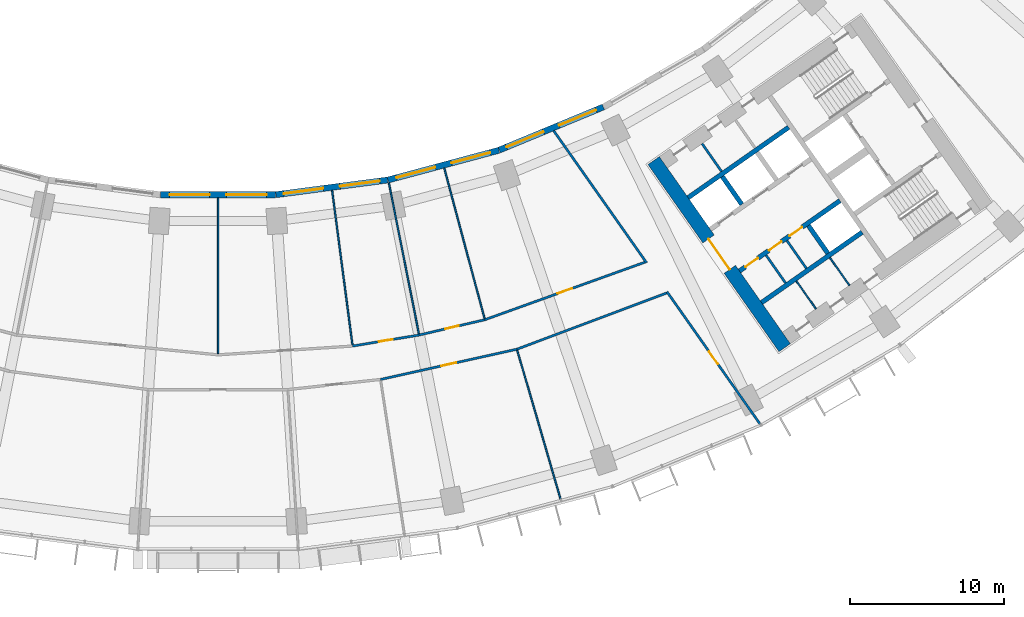
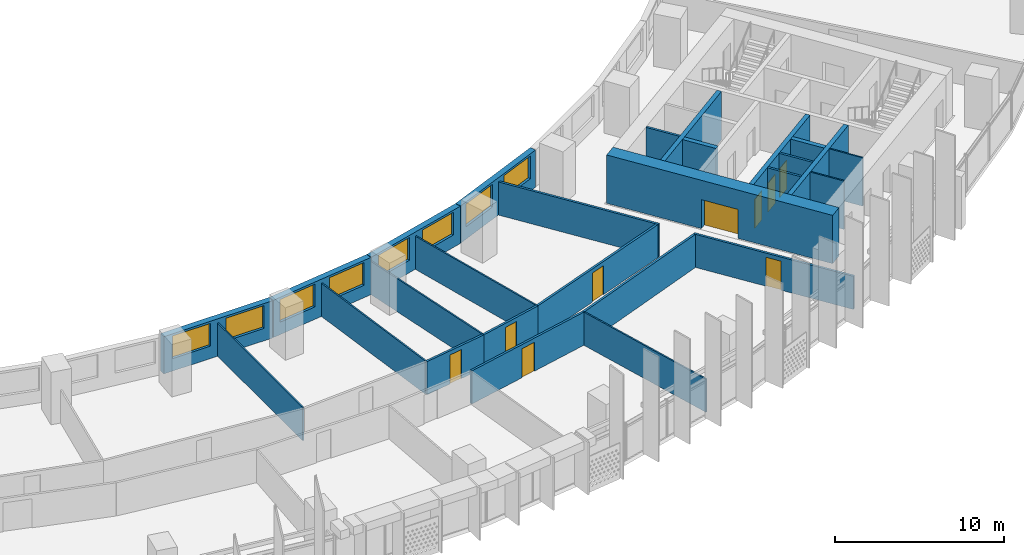
# One storey, part 6 of 32: 27 walls, 9 doors, 8 windows, 17 openings.
"""IFC4 building model written with IfcOpenShell, lengths in metres."""

import ifcopenshell
import ifcopenshell.guid

model = None  # the IFC model being written
_history = None  # IfcOwnerHistory: only IFC2X3 demands one
_inside = {}  # id of a spatial element -> (the spatial element, [elements in it])
_under = {}  # id of a project, library or spatial element -> (it, [spatial elements below it])
_declared = {}  # id of a project -> (the project, [libraries it declares])
_typed = {}  # id of a type object -> (the type object, [elements of that type])
_made_of = {}  # id of a material, layer set ... -> (it, [elements and type objects made of it])


def new_model(schema):
    """Start an empty IFC model of exactly this schema.

    Asked for "IFC4X3", IfcOpenShell would pick the latest addendum, in which some entities
    have other attributes; the version numbers below select the first issue.
    IFC2X3 requires an IfcOwnerHistory on every rooted entity: one is made here for all.
    """
    global model, _history
    if schema == "IFC4X3":
        model = ifcopenshell.file(schema_version=(4, 3, 0, 0))
    else:
        model = ifcopenshell.file(schema=schema)
    _inside.clear()
    _under.clear()
    _declared.clear()
    _typed.clear()
    _made_of.clear()
    _history = None
    if model.schema == "IFC2X3":
        org = make("IfcOrganization", Name="unknown")
        user = make(
            "IfcPersonAndOrganization",
            ThePerson=make("IfcPerson", FamilyName="unknown"),
            TheOrganization=org,
        )
        app = make(
            "IfcApplication",
            ApplicationDeveloper=org,
            Version="unknown",
            ApplicationFullName="unknown",
            ApplicationIdentifier="unknown",
        )
        _history = make(
            "IfcOwnerHistory",
            OwningUser=user,
            OwningApplication=app,
            ChangeAction="ADDED",
            CreationDate=0,
        )
    return model


def make(cls, **values):
    """One entity of the class cls with the attributes given. An attribute that is None is left unset."""
    return model.create_entity(
        cls, **{name: value for name, value in values.items() if value is not None}
    )


def rooted(cls, **values):
    """An entity with a GlobalId (a new one), such as an element, a storey or a relation."""
    return make(cls, GlobalId=ifcopenshell.guid.new(), OwnerHistory=_history, **values)


def si_unit(unit_type, name, prefix=None):
    """IfcSIUnit, for example si_unit("LENGTHUNIT", "METRE", prefix="MILLI")."""
    return make("IfcSIUnit", UnitType=unit_type, Prefix=prefix, Name=name)


def assignment(units):
    """IfcUnitAssignment: the units of a project."""
    return None if units is None else make("IfcUnitAssignment", Units=units)


def point(xyz):
    """IfcCartesianPoint."""
    return None if xyz is None else make("IfcCartesianPoint", Coordinates=xyz)


def direction(xyz):
    """IfcDirection."""
    return None if xyz is None else make("IfcDirection", DirectionRatios=xyz)


def frame(location, z_axis=None, x_axis=None):
    """IfcAxis2Placement3D, a coordinate frame: its origin and axes. An axis left out is left unset."""
    return make(
        "IfcAxis2Placement3D",
        Location=point(location),
        Axis=direction(z_axis),
        RefDirection=direction(x_axis),
    )


def frame_2d(location, x_axis=None):
    """IfcAxis2Placement2D, a coordinate frame in the plane: its origin and x axis."""
    return make(
        "IfcAxis2Placement2D", Location=point(location), RefDirection=direction(x_axis)
    )


def origin():
    """The frame at (0, 0, 0) with its axes left unset."""
    return frame((0.0, 0.0, 0.0))


def place(relative_to, where):
    """IfcLocalPlacement: puts the frame where relative to a parent placement (None: the world)."""
    return make(
        "IfcLocalPlacement", PlacementRelTo=relative_to, RelativePlacement=where
    )


def context(
    kind, dimensions, precision=None, world=None, true_north=None, identifier=None
):
    """IfcGeometricRepresentationContext, for example the 3D "Model" context."""
    return make(
        "IfcGeometricRepresentationContext",
        ContextIdentifier=identifier,
        ContextType=kind,
        CoordinateSpaceDimension=dimensions,
        Precision=precision,
        WorldCoordinateSystem=world,
        TrueNorth=true_north,
    )


def subcontext(parent, identifier, kind, view, scale=None):
    """IfcGeometricRepresentationSubContext, for example "Body" below "Model"."""
    return make(
        "IfcGeometricRepresentationSubContext",
        ContextIdentifier=identifier,
        ContextType=kind,
        ParentContext=parent,
        TargetScale=scale,
        TargetView=view,
    )


def project(units=None, contexts=None):
    """IfcProject with its units and contexts."""
    return rooted(
        "IfcProject",
        Name="project",
        RepresentationContexts=contexts,
        UnitsInContext=assignment(units),
    )


def spatial(cls, under=None, at=None, **own):
    """A site, building, storey or space (cls), placed at a placement, below another one or the project."""
    s = rooted(cls, ObjectPlacement=at, **own)
    if under is not None:
        _under.setdefault(under.id(), (under, []))[1].append(s)
    return s


def profile(cls, at=None, kind="AREA", **sizes):
    """A parametric profile (cls). Its sizes go by their IFC names, for example OverallWidth=200.0."""
    return make(cls, ProfileType=kind, Position=at, **sizes)


def rectangle(**sizes):
    """IfcRectangleProfileDef."""
    return profile("IfcRectangleProfileDef", **sizes)


def extrude(swept, where, along, depth):
    """IfcExtrudedAreaSolid: the profile swept, set in the frame where, extruded along a direction by depth."""
    return make(
        "IfcExtrudedAreaSolid",
        SweptArea=swept,
        Position=where,
        ExtrudedDirection=direction(along),
        Depth=depth,
    )


def shape(context_of_items, identifier, shape_type, items):
    """IfcShapeRepresentation: the items that make up one representation, for example the "Body"."""
    return make(
        "IfcShapeRepresentation",
        ContextOfItems=context_of_items,
        RepresentationIdentifier=identifier,
        RepresentationType=shape_type,
        Items=items,
    )


def material(Name=None, Category=None):
    """IfcMaterial."""
    return make("IfcMaterial", Name=Name, Category=Category)


def layer(
    of_material, thickness, ventilated=None, Name=None, Category=None, Priority=None
):
    """IfcMaterialLayer: one layer of a wall or slab, of a material (None: an air gap)."""
    return make(
        "IfcMaterialLayer",
        Material=of_material,
        LayerThickness=thickness,
        IsVentilated=ventilated,
        Name=Name,
        Category=Category,
        Priority=Priority,
    )


def layer_set(layers, Name=None):
    """IfcMaterialLayerSet."""
    return make("IfcMaterialLayerSet", MaterialLayers=layers, LayerSetName=Name)


def made_of(thing, what):
    """Note that an element or type object is made of a material, layer set ...; save() writes the relation."""
    if what is not None:
        _made_of.setdefault(what.id(), (what, []))[1].append(thing)
    return thing


def type_object(cls, material=None, **own):
    """A type object (cls), such as IfcWallType, which elements share."""
    return made_of(rooted(cls, **own), material)


def element(
    cls,
    number,
    at=None,
    inside=None,
    cuts=None,
    type_object=None,
    material=None,
    context=None,
    identifier="Body",
    shape_type=None,
    held_by="IfcProductDefinitionShape",
    body=None,
    shapes=None,
    **own,
):
    """One element of the class cls, such as IfcWall. Its Tag is "e" and its number.

    at: its placement. inside: the storey or other place that contains it. cuts: it is an
    opening in that element (IfcRelVoidsElement). A single representation is given by context,
    identifier, shape_type and body (its items); several are given by shapes. held_by: the class
    of the entity that holds the representations. save() writes the other relations.
    """
    e = rooted(cls, Tag="e%d" % number, ObjectPlacement=at, **own)
    if body is not None:
        shapes = [shape(context, identifier, shape_type, body)]
    if shapes is not None:
        e.Representation = make(held_by, Representations=shapes)
    if inside is not None:
        _inside.setdefault(inside.id(), (inside, []))[1].append(e)
    if cuts is not None:
        rooted(
            "IfcRelVoidsElement", RelatingBuildingElement=cuts, RelatedOpeningElement=e
        )
    if type_object is not None:
        _typed.setdefault(type_object.id(), (type_object, []))[1].append(e)
    return made_of(e, material)


def fill(opening, filler):
    """IfcRelFillsElement: the door or window that sits in an opening."""
    return rooted(
        "IfcRelFillsElement",
        RelatingOpeningElement=opening,
        RelatedBuildingElement=filler,
    )


def aggregate(whole, parts):
    """IfcRelAggregates: a whole, such as a stair, and the parts it consists of."""
    return rooted("IfcRelAggregates", RelatingObject=whole, RelatedObjects=parts)


def save(model, path):
    """Write the relations noted so far, then the file.

    IfcRelAggregates (storeys below a building ...), IfcRelContainedInSpatialStructure (elements
    in a storey), IfcRelDefinesByType, IfcRelAssociatesMaterial and IfcRelDeclares: one each for
    every whole, place, type object, material and project.
    """
    for whole, parts in _under.values():
        aggregate(whole, parts)
    for where, things in _inside.values():
        rooted(
            "IfcRelContainedInSpatialStructure",
            RelatedElements=things,
            RelatingStructure=where,
        )
    for kind, things in _typed.values():
        rooted("IfcRelDefinesByType", RelatedObjects=things, RelatingType=kind)
    for what, things in _made_of.values():
        rooted("IfcRelAssociatesMaterial", RelatedObjects=things, RelatingMaterial=what)
    for by, libraries in _declared.values():
        rooted("IfcRelDeclares", RelatingContext=by, RelatedDefinitions=libraries)
    model.write(path)


model = new_model("IFC4")

# Units and contexts
model_context = context("Model", 3, precision=1e-05, world=origin(), true_north=direction((0.0, 1.0)))
body_context = subcontext(model_context, "Body", "Model", "MODEL_VIEW")
ifc_project = project(units=[si_unit("LENGTHUNIT", "METRE"), si_unit("AREAUNIT", "SQUARE_METRE"), si_unit("VOLUMEUNIT", "CUBIC_METRE"), si_unit("PLANEANGLEUNIT", "RADIAN"), si_unit("MASSUNIT", "GRAM", prefix="KILO")], contexts=[model_context])

# Site, building, storey
site_placement = place(None, origin())
site = spatial("IfcSite", under=ifc_project, at=site_placement, CompositionType="ELEMENT")
building_placement = place(site_placement, origin())
building = spatial("IfcBuilding", under=site, at=building_placement, Name="Qamariyya Broadcast Tower", CompositionType="ELEMENT")
storey_placement = place(building_placement, frame((0.0, 0.0, 63.300048828125)))
storey = spatial("IfcBuildingStorey", under=building, at=storey_placement, Name="L12", CompositionType="ELEMENT", Elevation=63.300048828125)

# Wall, opening, door
ifc_material_1 = material(Name="Concrete C70/85", Category="concrete")
ifc_layer_1 = layer(ifc_material_1, 0.89990234375)
ifc_layer_set_1 = layer_set([ifc_layer_1], Name="Core wall 900 mm Concrete C70/85")
wall_type_1 = type_object("IfcWallType", Name="Core wall 900 mm Concrete C70/85", PredefinedType="SHEAR", material=ifc_layer_set_1)
wall_1_placement = place(storey_placement, frame((36.716796875, -66.3369140625, 0.0), z_axis=(0.0, 0.0, 1.0), x_axis=(-0.573577477574, 0.819151315216, 0.0)))
wall_1 = element("IfcWall", 1, at=wall_1_placement, inside=storey, type_object=wall_type_1, Name="k-E-L12-WA", PredefinedType="SHEAR", context=body_context, shape_type="SweptSolid", body=[
    extrude(rectangle(XDim=14.800048828125, YDim=0.89990234375, at=frame_2d((7.39990234375, 0.0))), origin(), (0.0, 0.0, 1.0), 3.5),
])
opening_1_placement = place(wall_1_placement, frame((6.199951171875, 0.0, 0.0)))
opening_1 = element("IfcOpeningElement", 2, at=opening_1_placement, cuts=wall_1, Name="Opening KD3-E1", PredefinedType="OPENING", context=body_context, shape_type="SweptSolid", body=[
    extrude(rectangle(XDim=2.39990234375, YDim=2.10009765625, at=frame_2d((1.199951171875, 1.050048828125))), frame((0.0, 0.4599609375, 0.0), z_axis=(0.0, -1.0, 0.0), x_axis=(1.0, 0.0, 0.0)), (0.0, 0.0, 1.0), 0.919921875),
])
ifc_material_2 = material(Name="Steel fire-resisting door leaf", Category="steel")
door_type_1 = type_object("IfcDoorType", Name="Lift lobby door KD3", OperationType="DOUBLE_DOOR_SINGLE_SWING", PredefinedType="DOOR", material=ifc_material_2)
door_1_placement = place(opening_1_placement, origin())
door_1 = element("IfcDoor", 3, at=door_1_placement, inside=storey, type_object=door_type_1, Name="k-E-L12-WA-D1", OperationType="DOUBLE_DOOR_SINGLE_SWING", OverallHeight=2.10009765625, OverallWidth=2.39990234375, PredefinedType="DOOR", context=body_context, shape_type="SweptSolid", body=[
    extrude(rectangle(XDim=2.39990234375, YDim=2.10009765625, at=frame_2d((1.199951171875, 1.050048828125))), frame((0.0, 0.02490234375, 0.0), z_axis=(0.0, -1.0, 0.0), x_axis=(1.0, 0.0, 0.0)), (0.0, 0.0, 1.0), 0.050048828125),
])
fill(opening_1, door_1)

ifc_material_3 = material(Name="Gypsum board partition")
ifc_layer_2 = layer(ifc_material_3, 0.14990234375)
ifc_layer_set_2 = layer_set([ifc_layer_2], Name="Corridor partition 150 EI 60")
wall_type_2 = type_object("IfcWallType", Name="Corridor partition 150 EI 60", PredefinedType="PARTITIONING", material=ifc_layer_set_2)
wall_2_placement = place(storey_placement, frame((8.71923828125, -66.228515625, 0.0), z_axis=(0.0, 0.0, 1.0), x_axis=(0.986638873051, 0.162922479065, 0.0)))
wall_2 = element("IfcWall", 4, at=wall_2_placement, inside=storey, type_object=wall_type_2, Name="Partition L12-020", PredefinedType="PARTITIONING", context=body_context, shape_type="SweptSolid", body=[
    extrude(rectangle(XDim=4.37109375, YDim=0.14990234375, at=frame_2d((2.185546875, 0.0))), origin(), (0.0, 0.0, 1.0), 2.39990234375),
])
opening_2_placement = place(wall_2_placement, frame((1.735595703125, 0.0, 0.0)))
opening_2 = element("IfcOpeningElement", 5, at=opening_2_placement, cuts=wall_2, Name="Opening L12-D11", PredefinedType="OPENING", context=body_context, shape_type="SweptSolid", body=[
    extrude(rectangle(XDim=0.89990234375, YDim=2.10009765625, at=frame_2d((0.449951171875, 1.050048828125))), frame((0.0, 0.0849609375, 0.0), z_axis=(0.0, -1.0, 0.0), x_axis=(1.0, 0.0, 0.0)), (0.0, 0.0, 1.0), 0.169921875),
])
ifc_material_4 = material(Name="Timber fire door leaf", Category="wood")
door_type_2 = type_object("IfcDoorType", Name="Fire door 900 x 2100 FD60", OperationType="NOTDEFINED", PredefinedType="DOOR", material=ifc_material_4)
door_2_placement = place(opening_2_placement, origin())
door_2 = element("IfcDoor", 6, at=door_2_placement, inside=storey, type_object=door_type_2, Name="Door L12-D11", OperationType="SINGLE_SWING_RIGHT", OverallHeight=2.10009765625, OverallWidth=0.89990234375, PredefinedType="DOOR", context=body_context, shape_type="SweptSolid", body=[
    extrude(rectangle(XDim=0.89990234375, YDim=2.10009765625, at=frame_2d((0.449951171875, 1.050048828125))), frame((0.0, 0.02490234375, 0.0), z_axis=(0.0, -1.0, 0.0), x_axis=(1.0, 0.0, 0.0)), (0.0, 0.0, 1.0), 0.050048828125),
])
fill(opening_2, door_2)

wall_3_placement = place(storey_placement, frame((19.365966796875, -66.434814453125, 0.0), z_axis=(0.0, 0.0, 1.0), x_axis=(-0.976288493125, -0.216473504595, 0.0)))
wall_3 = element("IfcWall", 7, at=wall_3_placement, inside=storey, type_object=wall_type_2, Name="Partition L12-021", PredefinedType="PARTITIONING", context=body_context, shape_type="SweptSolid", body=[
    extrude(rectangle(XDim=9.0517578125, YDim=0.14990234375, at=frame_2d((4.52587890625, 0.0))), origin(), (0.0, 0.0, 1.0), 2.39990234375),
])
opening_3_placement = place(wall_3_placement, frame((4.02587890625, 0.0, 0.0)))
opening_3 = element("IfcOpeningElement", 8, at=opening_3_placement, cuts=wall_3, Name="Opening L12-D05", PredefinedType="OPENING", context=body_context, shape_type="SweptSolid", body=[
    extrude(rectangle(XDim=1.0, YDim=2.10009765625, at=frame_2d((0.5, 1.050048828125))), frame((0.0, 0.0849609375, 0.0), z_axis=(0.0, -1.0, 0.0), x_axis=(1.0, 0.0, 0.0)), (0.0, 0.0, 1.0), 0.169921875),
])
door_type_3 = type_object("IfcDoorType", Name="Fire door 1000 x 2100 FD60", OperationType="NOTDEFINED", PredefinedType="DOOR", material=ifc_material_4)
door_3_placement = place(opening_3_placement, origin())
door_3 = element("IfcDoor", 9, at=door_3_placement, inside=storey, type_object=door_type_3, Name="Door L12-D05", OperationType="SINGLE_SWING_RIGHT", OverallHeight=2.10009765625, OverallWidth=1.0, PredefinedType="DOOR", context=body_context, shape_type="SweptSolid", body=[
    extrude(rectangle(XDim=1.0, YDim=2.10009765625, at=frame_2d((0.5, 1.050048828125))), frame((0.0, 0.02490234375, 0.0), z_axis=(0.0, -1.0, 0.0), x_axis=(1.0, 0.0, 0.0)), (0.0, 0.0, 1.0), 0.050048828125),
])
fill(opening_3, door_3)

wall_4_placement = place(storey_placement, frame((13.031982421875, -65.516357421875, 0.0), z_axis=(0.0, 0.0, 1.0), x_axis=(0.973886095728, 0.227037161159, 0.0)))
wall_4 = element("IfcWall", 10, at=wall_4_placement, inside=storey, type_object=wall_type_2, Name="Partition L12-024", PredefinedType="PARTITIONING", context=body_context, shape_type="SweptSolid", body=[
    extrude(rectangle(XDim=4.371337890625, YDim=0.14990234375, at=frame_2d((2.185546875, 0.0))), origin(), (0.0, 0.0, 1.0), 2.39990234375),
])
opening_4_placement = place(wall_4_placement, frame((1.735595703125, 0.0, 0.0)))
opening_4 = element("IfcOpeningElement", 11, at=opening_4_placement, cuts=wall_4, Name="Opening L12-D12", PredefinedType="OPENING", context=body_context, shape_type="SweptSolid", body=[
    extrude(rectangle(XDim=0.89990234375, YDim=2.10009765625, at=frame_2d((0.449951171875, 1.050048828125))), frame((0.0, 0.0849609375, 0.0), z_axis=(0.0, -1.0, 0.0), x_axis=(1.0, 0.0, 0.0)), (0.0, 0.0, 1.0), 0.169921875),
])
door_4_placement = place(opening_4_placement, origin())
door_4 = element("IfcDoor", 12, at=door_4_placement, inside=storey, type_object=door_type_2, Name="Door L12-D12", OperationType="SINGLE_SWING_RIGHT", OverallHeight=2.10009765625, OverallWidth=0.89990234375, PredefinedType="DOOR", context=body_context, shape_type="SweptSolid", body=[
    extrude(rectangle(XDim=0.89990234375, YDim=2.10009765625, at=frame_2d((0.449951171875, 1.050048828125))), frame((0.0, 0.02490234375, 0.0), z_axis=(0.0, -1.0, 0.0), x_axis=(1.0, 0.0, 0.0)), (0.0, 0.0, 1.0), 0.050048828125),
])
fill(opening_4, door_4)

wall_5_placement = place(storey_placement, frame((17.2890625, -64.52392578125, 0.0), z_axis=(0.0, 0.0, 1.0), x_axis=(0.941106453562, 0.338110400705, 0.0)))
wall_5 = element("IfcWall", 13, at=wall_5_placement, inside=storey, type_object=wall_type_2, Name="Partition L12-026", PredefinedType="PARTITIONING", context=body_context, shape_type="SweptSolid", body=[
    extrude(rectangle(XDim=11.015869140625, YDim=0.14990234375, at=frame_2d((5.5078125, 0.0))), origin(), (0.0, 0.0, 1.0), 2.39990234375),
])
opening_5_placement = place(wall_5_placement, frame((5.008056640625, 0.0, 0.0)))
opening_5 = element("IfcOpeningElement", 14, at=opening_5_placement, cuts=wall_5, Name="Opening L12-D13", PredefinedType="OPENING", context=body_context, shape_type="SweptSolid", body=[
    extrude(rectangle(XDim=1.0, YDim=2.10009765625, at=frame_2d((0.5, 1.050048828125))), frame((0.0, 0.0849609375, 0.0), z_axis=(0.0, -1.0, 0.0), x_axis=(1.0, 0.0, 0.0)), (0.0, 0.0, 1.0), 0.169921875),
])
door_5_placement = place(opening_5_placement, origin())
door_5 = element("IfcDoor", 15, at=door_5_placement, inside=storey, type_object=door_type_3, Name="Door L12-D13", OperationType="SINGLE_SWING_RIGHT", OverallHeight=2.10009765625, OverallWidth=1.0, PredefinedType="DOOR", context=body_context, shape_type="SweptSolid", body=[
    extrude(rectangle(XDim=1.0, YDim=2.10009765625, at=frame_2d((0.5, 1.050048828125))), frame((0.0, 0.02490234375, 0.0), z_axis=(0.0, -1.0, 0.0), x_axis=(1.0, 0.0, 0.0)), (0.0, 0.0, 1.0), 0.050048828125),
])
fill(opening_5, door_5)

# Walls
wall_6_placement = place(storey_placement, frame((19.365966796875, -66.434814453125, 0.0), z_axis=(0.0, 0.0, 1.0), x_axis=(0.936222555766, 0.351407635197, 0.0)))
element("IfcWall", 16, at=wall_6_placement, inside=storey, type_object=wall_type_2, Name="Partition L12-027", PredefinedType="PARTITIONING", context=body_context, shape_type="SweptSolid", body=[
    extrude(rectangle(XDim=10.355224609375, YDim=0.14990234375, at=frame_2d((5.177734375, 0.0))), origin(), (0.0, 0.0, 1.0), 2.39990234375),
])
wall_7_placement = place(storey_placement, frame((21.748291015625, -52.2763671875, 0.0), z_axis=(0.0, 0.0, 1.0), x_axis=(0.575419434668, -0.817858468322, 0.0)))
element("IfcWall", 17, at=wall_7_placement, inside=storey, type_object=wall_type_2, Name="Partition L12-028", PredefinedType="PARTITIONING", context=body_context, shape_type="SweptSolid", body=[
    extrude(rectangle(XDim=10.46484375, YDim=0.14990234375, at=frame_2d((5.232421875, 0.0))), origin(), (0.0, 0.0, 1.0), 2.39990234375),
])

# Wall, opening, door
wall_8_placement = place(storey_placement, frame((35.11328125, -71.2724609375, 0.0), z_axis=(0.0, 0.0, 1.0), x_axis=(-0.575411972256, 0.817863718589, 0.0)))
wall_8 = element("IfcWall", 18, at=wall_8_placement, inside=storey, type_object=wall_type_2, Name="Partition L12-030", PredefinedType="PARTITIONING", context=body_context, shape_type="SweptSolid", body=[
    extrude(rectangle(XDim=10.471435546875, YDim=0.14990234375, at=frame_2d((5.23583984375, 0.0))), origin(), (0.0, 0.0, 1.0), 2.39990234375),
])
opening_6_placement = place(wall_8_placement, frame((4.735595703125, 0.0, 0.0)))
opening_6 = element("IfcOpeningElement", 19, at=opening_6_placement, cuts=wall_8, Name="Opening L12-D06", PredefinedType="OPENING", context=body_context, shape_type="SweptSolid", body=[
    extrude(rectangle(XDim=1.0, YDim=2.10009765625, at=frame_2d((0.5, 1.050048828125))), frame((0.0, 0.0849609375, 0.0), z_axis=(0.0, -1.0, 0.0), x_axis=(1.0, 0.0, 0.0)), (0.0, 0.0, 1.0), 0.169921875),
])
door_6_placement = place(opening_6_placement, origin())
door_6 = element("IfcDoor", 20, at=door_6_placement, inside=storey, type_object=door_type_3, Name="Door L12-D06", OperationType="SINGLE_SWING_RIGHT", OverallHeight=2.10009765625, OverallWidth=1.0, PredefinedType="DOOR", context=body_context, shape_type="SweptSolid", body=[
    extrude(rectangle(XDim=1.0, YDim=2.10009765625, at=frame_2d((0.5, 1.050048828125))), frame((0.0, 0.02490234375, 0.0), z_axis=(0.0, -1.0, 0.0), x_axis=(1.0, 0.0, 0.0)), (0.0, 0.0, 1.0), 0.050048828125),
])
fill(opening_6, door_6)

# Walls
ifc_material_5 = material(Name="Gypsum board partition on steel studs", Category="steel")
ifc_layer_3 = layer(ifc_material_5, 0.14990234375)
ifc_layer_set_3 = layer_set([ifc_layer_3], Name="Gypsum board partition 150 mm")
wall_type_3 = type_object("IfcWallType", Name="Gypsum board partition 150 mm", PredefinedType="PARTITIONING", material=ifc_layer_set_3)
for number, where, z_axis, x_axis, name in (
    (21, (35.51171875, -60.344482421875, 0.0), (0.0, 0.0, 1.0), (0.573633636671, -0.819111989218, 0.0), "k-E-L12-SC200"),
    (22, (36.86328125, -59.398193359375, 0.0), (0.0, 0.0, 1.0), (0.573633636671, -0.819111989218, 0.0), "k-E-L12-SC365"),
    (23, (32.627197265625, -54.91748046875, 0.0), (0.0, 0.0, 1.0), (-0.573507030513, 0.819200638399, 0.0), "k-E-L12-NP275"),
):
    element("IfcWall", number, at=place(storey_placement, frame(where, z_axis=z_axis, x_axis=x_axis)), inside=storey, type_object=wall_type_3, Name=name, PredefinedType="PARTITIONING", context=body_context, shape_type="SweptSolid", body=[
        extrude(rectangle(XDim=2.199951171875, YDim=0.14990234375, at=frame_2d((1.10009765625, 0.0))), origin(), (0.0, 0.0, 1.0), 3.5),
    ])
ifc_material_6 = material(Name="Concrete C60/75", Category="concrete")
ifc_layer_4 = layer(ifc_material_6, 0.300048828125)
ifc_layer_set_4 = layer_set([ifc_layer_4], Name="Lift shaft wall 300 mm Concrete C60/75")
wall_type_4 = type_object("IfcWallType", Name="Lift shaft wall 300 mm Concrete C60/75", PredefinedType="SOLIDWALL", material=ifc_layer_set_4)
wall_9_placement = place(storey_placement, frame((30.460693359375, -56.61767578125, 0.0), z_axis=(0.0, 0.0, 1.0), x_axis=(0.819142461705, 0.573590121456, 0.0)))
element("IfcWall", 24, at=wall_9_placement, inside=storey, type_object=wall_type_4, Name="k-E-L12-NB0", PredefinedType="SOLIDWALL", context=body_context, shape_type="SweptSolid", body=[
    extrude(rectangle(XDim=7.949951171875, YDim=0.300048828125, at=frame_2d((3.97509765625, 0.0))), origin(), (0.0, 0.0, 1.0), 3.5),
])
wall_10_placement = place(storey_placement, frame((33.9384765625, -57.051513671875, 0.0), z_axis=(0.0, 0.0, 1.0), x_axis=(-0.573581496053, 0.819148501424, 0.0)))
element("IfcWall", 25, at=wall_10_placement, inside=storey, type_object=wall_type_4, Name="k-E-L12-ND0", PredefinedType="SOLIDWALL", context=body_context, shape_type="SweptSolid", body=[
    extrude(rectangle(XDim=2.2001953125, YDim=0.300048828125, at=frame_2d((1.10009765625, 0.0))), origin(), (0.0, 0.0, 1.0), 3.5),
])

# Wall, openings, doors
wall_11_placement = place(storey_placement, frame((33.787353515625, -61.368896484375, 0.0), z_axis=(0.0, 0.0, 1.0), x_axis=(0.819152564888, 0.573575692858, 0.0)))
wall_11 = element("IfcWall", 26, at=wall_11_placement, inside=storey, type_object=wall_type_4, Name="k-E-L12-SF0", PredefinedType="SOLIDWALL", context=body_context, shape_type="SweptSolid", body=[
    extrude(rectangle(XDim=7.9501953125, YDim=0.300048828125, at=frame_2d((3.97509765625, 0.0))), origin(), (0.0, 0.0, 1.0), 3.5),
])
opening_7_placement = place(wall_11_placement, frame((0.46240234375, 0.0, 0.0)))
opening_7 = element("IfcOpeningElement", 27, at=opening_7_placement, cuts=wall_11, Name="Opening KD6-E1", PredefinedType="OPENING", context=body_context, shape_type="SweptSolid", body=[
    extrude(rectangle(XDim=1.0, YDim=2.10009765625, at=frame_2d((0.5, 1.050048828125))), frame((0.0, 0.159912109375, 0.0), z_axis=(0.0, -1.0, 0.0), x_axis=(1.0, 0.0, 0.0)), (0.0, 0.0, 1.0), 0.320068359375),
])
opening_8_placement = place(wall_11_placement, frame((2.324951171875, 0.0, 0.0)))
opening_8 = element("IfcOpeningElement", 28, at=opening_8_placement, cuts=wall_11, Name="Opening KD4-E1", PredefinedType="OPENING", context=body_context, shape_type="SweptSolid", body=[
    extrude(rectangle(XDim=1.0, YDim=2.10009765625, at=frame_2d((0.5, 1.050048828125))), frame((0.0, 0.159912109375, 0.0), z_axis=(0.0, -1.0, 0.0), x_axis=(1.0, 0.0, 0.0)), (0.0, 0.0, 1.0), 0.320068359375),
])
opening_9_placement = place(wall_11_placement, frame((3.96240234375, 0.0, 0.0)))
opening_9 = element("IfcOpeningElement", 29, at=opening_9_placement, cuts=wall_11, Name="Opening KD6-E2", PredefinedType="OPENING", context=body_context, shape_type="SweptSolid", body=[
    extrude(rectangle(XDim=1.0, YDim=2.10009765625, at=frame_2d((0.5, 1.050048828125))), frame((0.0, 0.159912109375, 0.0), z_axis=(0.0, -1.0, 0.0), x_axis=(1.0, 0.0, 0.0)), (0.0, 0.0, 1.0), 0.320068359375),
])
door_type_4 = type_object("IfcDoorType", Name="Core room door KD6", OperationType="SINGLE_SWING_LEFT", PredefinedType="DOOR", material=ifc_material_2)
door_7_placement = place(opening_7_placement, origin())
door_7 = element("IfcDoor", 30, at=door_7_placement, inside=storey, type_object=door_type_4, Name="k-E-L12-SF0-D5", OperationType="SINGLE_SWING_LEFT", OverallHeight=2.10009765625, OverallWidth=1.0, PredefinedType="DOOR", context=body_context, shape_type="SweptSolid", body=[
    extrude(rectangle(XDim=1.0, YDim=2.10009765625, at=frame_2d((0.5, 1.050048828125))), frame((0.0, 0.02490234375, 0.0), z_axis=(0.0, -1.0, 0.0), x_axis=(1.0, 0.0, 0.0)), (0.0, 0.0, 1.0), 0.050048828125),
])
fill(opening_7, door_7)
door_8_placement = place(opening_9_placement, origin())
door_8 = element("IfcDoor", 31, at=door_8_placement, inside=storey, type_object=door_type_4, Name="k-E-L12-SF0-D7", OperationType="SINGLE_SWING_LEFT", OverallHeight=2.10009765625, OverallWidth=1.0, PredefinedType="DOOR", context=body_context, shape_type="SweptSolid", body=[
    extrude(rectangle(XDim=1.0, YDim=2.10009765625, at=frame_2d((0.5, 1.050048828125))), frame((0.0, 0.02490234375, 0.0), z_axis=(0.0, -1.0, 0.0), x_axis=(1.0, 0.0, 0.0)), (0.0, 0.0, 1.0), 0.050048828125),
])
fill(opening_9, door_8)
door_type_5 = type_object("IfcDoorType", Name="Riser and plant door KD4", OperationType="SINGLE_SWING_LEFT", PredefinedType="DOOR", material=ifc_material_2)
door_9_placement = place(opening_8_placement, origin())
door_9 = element("IfcDoor", 32, at=door_9_placement, inside=storey, type_object=door_type_5, Name="k-E-L12-SF0-D6", OperationType="SINGLE_SWING_RIGHT", OverallHeight=2.10009765625, OverallWidth=1.0, PredefinedType="DOOR", context=body_context, shape_type="SweptSolid", body=[
    extrude(rectangle(XDim=1.0, YDim=2.10009765625, at=frame_2d((0.5, 1.050048828125))), frame((0.0, 0.02490234375, 0.0), z_axis=(0.0, -1.0, 0.0), x_axis=(1.0, 0.0, 0.0)), (0.0, 0.0, 1.0), 0.050048828125),
])
fill(opening_8, door_9)

# Walls
wall_12_placement = place(storey_placement, frame((35.22119140625, -63.41650390625, 0.0), z_axis=(0.0, 0.0, 1.0), x_axis=(0.819166993208, 0.573555086491, 0.0)))
element("IfcWall", 33, at=wall_12_placement, inside=storey, type_object=wall_type_4, Name="k-E-L12-SB0", PredefinedType="SOLIDWALL", context=body_context, shape_type="SweptSolid", body=[
    extrude(rectangle(XDim=7.9501953125, YDim=0.300048828125, at=frame_2d((3.97509765625, 0.0))), origin(), (0.0, 0.0, 1.0), 3.5),
])
wall_13_placement = place(storey_placement, frame((38.255859375, -58.423095703125, 0.0), z_axis=(0.0, 0.0, 1.0), x_axis=(0.573633636671, -0.819111989218, 0.0)))
element("IfcWall", 34, at=wall_13_placement, inside=storey, type_object=wall_type_4, Name="k-E-L12-SD1", PredefinedType="SOLIDWALL", context=body_context, shape_type="SweptSolid", body=[
    extrude(rectangle(XDim=2.199951171875, YDim=0.300048828125, at=frame_2d((1.10009765625, 0.0))), origin(), (0.0, 0.0, 1.0), 3.5),
])
ifc_layer_5 = layer(ifc_material_3, 0.10009765625)
ifc_layer_set_5 = layer_set([ifc_layer_5], Name="Partition 100")
wall_type_5 = type_object("IfcWallType", Name="Partition 100", PredefinedType="PARTITIONING", material=ifc_layer_set_5)
for number, where, z_axis, x_axis, name in (
    (35, (0.0, -56.62939453125, 0.0), (0.0, 0.0, 1.0), (0.0, -1.0, 0.0), "Partition L12-016"),
    (36, (7.3916015625, -56.144775390625, 0.0), (0.0, 0.0, 1.0), (0.130538336764, -0.991443262439, 0.0), "Partition L12-019"),
):
    element("IfcWall", number, at=place(storey_placement, frame(where, z_axis=z_axis, x_axis=x_axis)), inside=storey, type_object=wall_type_5, Name=name, PredefinedType="PARTITIONING", context=body_context, shape_type="SweptSolid", body=[
        extrude(rectangle(XDim=10.095703125, YDim=0.10009765625, at=frame_2d((5.0478515625, 0.0))), origin(), (0.0, 0.0, 1.0), 2.39990234375),
    ])
wall_14_placement = place(storey_placement, frame((11.0712890625, -55.65966796875, 0.0), z_axis=(0.0, 0.0, 1.0), x_axis=(0.195094645032, -0.980784420492, 0.0)))
element("IfcWall", 37, at=wall_14_placement, inside=storey, type_object=wall_type_5, Name="Partition L12-022", PredefinedType="PARTITIONING", context=body_context, shape_type="SweptSolid", body=[
    extrude(rectangle(XDim=9.974853515625, YDim=0.10009765625, at=frame_2d((4.9873046875, 0.0))), origin(), (0.0, 0.0, 1.0), 2.39990234375),
])
wall_15_placement = place(storey_placement, frame((14.65673828125, -54.69970703125, 0.0), z_axis=(0.0, 0.0, 1.0), x_axis=(0.258825935876, -0.965923979885, 0.0)))
element("IfcWall", 38, at=wall_15_placement, inside=storey, type_object=wall_type_5, Name="Partition L12-025", PredefinedType="PARTITIONING", context=body_context, shape_type="SweptSolid", body=[
    extrude(rectangle(XDim=10.095703125, YDim=0.10009765625, at=frame_2d((5.0478515625, 0.0))), origin(), (0.0, 0.0, 1.0), 2.39990234375),
])
wall_16_placement = place(storey_placement, frame((22.192138671875, -76.1298828125, 0.0), z_axis=(0.0, 0.0, 1.0), x_axis=(-0.279857832074, 0.960041454223, 0.0)))
element("IfcWall", 39, at=wall_16_placement, inside=storey, type_object=wall_type_5, Name="Partition L12-029", PredefinedType="PARTITIONING", context=body_context, shape_type="SweptSolid", body=[
    extrude(rectangle(XDim=10.023681640625, YDim=0.10009765625, at=frame_2d((5.01171875, 0.0))), origin(), (0.0, 0.0, 1.0), 2.39990234375),
])
ifc_material_7 = material(Name="Fire-rated gypsum shaft liner on steel studs", Category="steel")
ifc_layer_6 = layer(ifc_material_7, 0.10009765625)
ifc_layer_set_6 = layer_set([ifc_layer_6], Name="Riser wall 100 mm")
wall_type_6 = type_object("IfcWallType", Name="Riser wall 100 mm", PredefinedType="PLUMBINGWALL", material=ifc_layer_set_6)
wall_17_placement = place(storey_placement, frame((37.47802734375, -62.01953125, 0.0), z_axis=(0.0, 0.0, 1.0), x_axis=(0.573581496053, -0.819148501424, 0.0)))
element("IfcWall", 40, at=wall_17_placement, inside=storey, type_object=wall_type_6, Name="k-E-L12-SP265", PredefinedType="PLUMBINGWALL", context=body_context, shape_type="SweptSolid", body=[
    extrude(rectangle(XDim=2.2001953125, YDim=0.10009765625, at=frame_2d((1.10009765625, 0.0))), origin(), (0.0, 0.0, 1.0), 3.5),
])
wall_18_placement = place(storey_placement, frame((39.64892578125, -60.49951171875, 0.0), z_axis=(0.0, 0.0, 1.0), x_axis=(0.573507030513, -0.819200638399, 0.0)))
element("IfcWall", 41, at=wall_18_placement, inside=storey, type_object=wall_type_6, Name="k-E-L12-SP530", PredefinedType="PLUMBINGWALL", context=body_context, shape_type="SweptSolid", body=[
    extrude(rectangle(XDim=2.199951171875, YDim=0.10009765625, at=frame_2d((1.10009765625, 0.0))), origin(), (0.0, 0.0, 1.0), 3.5),
])

# Wall, openings, windows
ifc_material_8 = material(Name="Terracotta", Category="masonry")
ifc_layer_7 = layer(ifc_material_8, 0.39990234375)
ifc_layer_set_7 = layer_set([ifc_layer_7], Name="Terracotta clad wall 400")
wall_type_7 = type_object("IfcWallType", Name="Terracotta clad wall 400", PredefinedType="SOLIDWALL", material=ifc_layer_set_7)
wall_19_placement = place(storey_placement, frame((18.20166015625, -53.542724609375, 0.0), z_axis=(0.0, 0.0, 1.0), x_axis=(-0.965924637935, -0.25882348006, 0.0)))
wall_19 = element("IfcWall", 42, at=wall_19_placement, inside=storey, type_object=wall_type_7, Name="e-wl-L12-in100", PredefinedType="SOLIDWALL", context=body_context, shape_type="SweptSolid", body=[
    extrude(rectangle(XDim=7.447021484375, YDim=0.39990234375, at=frame_2d((3.7236328125, 0.0))), origin(), (0.0, 0.0, 1.0), 2.699951171875),
])
opening_10_placement = place(wall_19_placement, frame((4.266357421875, 0.0, 0.89990234375)))
opening_10 = element("IfcOpeningElement", 43, at=opening_10_placement, cuts=wall_19, Name="Opening W1", PredefinedType="OPENING", context=body_context, shape_type="SweptSolid", body=[
    extrude(rectangle(XDim=2.60009765625, YDim=1.64990234375, at=frame_2d((1.300048828125, 0.824951171875))), frame((0.0, 0.2099609375, 0.0), z_axis=(0.0, -1.0, 0.0), x_axis=(1.0, 0.0, 0.0)), (0.0, 0.0, 1.0), 0.419921875),
])
opening_11_placement = place(wall_19_placement, frame((0.580810546875, 0.0, 0.89990234375)))
opening_11 = element("IfcOpeningElement", 44, at=opening_11_placement, cuts=wall_19, Name="Opening W1", PredefinedType="OPENING", context=body_context, shape_type="SweptSolid", body=[
    extrude(rectangle(XDim=2.60009765625, YDim=1.64990234375, at=frame_2d((1.300048828125, 0.824951171875))), frame((0.0, 0.2099609375, 0.0), z_axis=(0.0, -1.0, 0.0), x_axis=(1.0, 0.0, 0.0)), (0.0, 0.0, 1.0), 0.419921875),
])
ifc_material_9 = material(Name="Clear low-e double glazed unit in aluminium frame", Category="aluminium")
window_type = type_object("IfcWindowType", Name="Ribbon window 2600 x 1650", PartitioningType="SINGLE_PANEL", PredefinedType="WINDOW", material=ifc_material_9)
window_1_placement = place(opening_10_placement, origin())
window_1 = element("IfcWindow", 45, at=window_1_placement, inside=storey, type_object=window_type, Name="e-w-L12-in10-0", OverallHeight=1.64990234375, OverallWidth=2.60009765625, PartitioningType="SINGLE_PANEL", PredefinedType="WINDOW", context=body_context, shape_type="SweptSolid", body=[
    extrude(rectangle(XDim=2.60009765625, YDim=1.64990234375, at=frame_2d((1.300048828125, 0.824951171875))), frame((0.0, 0.030029296875, 0.0), z_axis=(0.0, -1.0, 0.0), x_axis=(1.0, 0.0, 0.0)), (0.0, 0.0, 1.0), 0.06005859375),
])
fill(opening_10, window_1)
window_2_placement = place(opening_11_placement, origin())
window_2 = element("IfcWindow", 46, at=window_2_placement, inside=storey, type_object=window_type, Name="e-w-L12-in10-1", OverallHeight=1.64990234375, OverallWidth=2.60009765625, PartitioningType="SINGLE_PANEL", PredefinedType="WINDOW", context=body_context, shape_type="SweptSolid", body=[
    extrude(rectangle(XDim=2.60009765625, YDim=1.64990234375, at=frame_2d((1.300048828125, 0.824951171875))), frame((0.0, 0.030029296875, 0.0), z_axis=(0.0, -1.0, 0.0), x_axis=(1.0, 0.0, 0.0)), (0.0, 0.0, 1.0), 0.06005859375),
])
fill(opening_11, window_2)

wall_20_placement = place(storey_placement, frame((24.96484375, -50.738037109375, 0.0), z_axis=(0.0, 0.0, 1.0), x_axis=(-0.923891626322, -0.382654234018, 0.0)))
wall_20 = element("IfcWall", 47, at=wall_20_placement, inside=storey, type_object=wall_type_7, Name="e-wl-L12-in110", PredefinedType="SOLIDWALL", context=body_context, shape_type="SweptSolid", body=[
    extrude(rectangle(XDim=7.295654296875, YDim=0.39990234375, at=frame_2d((3.64794921875, 0.0))), origin(), (0.0, 0.0, 1.0), 2.699951171875),
])
opening_12_placement = place(wall_20_placement, frame((4.190673828125, 0.0, 0.89990234375)))
opening_12 = element("IfcOpeningElement", 48, at=opening_12_placement, cuts=wall_20, Name="Opening W1", PredefinedType="OPENING", context=body_context, shape_type="SweptSolid", body=[
    extrude(rectangle(XDim=2.60009765625, YDim=1.64990234375, at=frame_2d((1.300048828125, 0.824951171875))), frame((0.0, 0.2099609375, 0.0), z_axis=(0.0, -1.0, 0.0), x_axis=(1.0, 0.0, 0.0)), (0.0, 0.0, 1.0), 0.419921875),
])
opening_13_placement = place(wall_20_placement, frame((0.505126953125, 0.0, 0.89990234375)))
opening_13 = element("IfcOpeningElement", 49, at=opening_13_placement, cuts=wall_20, Name="Opening W1", PredefinedType="OPENING", context=body_context, shape_type="SweptSolid", body=[
    extrude(rectangle(XDim=2.60009765625, YDim=1.64990234375, at=frame_2d((1.300048828125, 0.824951171875))), frame((0.0, 0.2099609375, 0.0), z_axis=(0.0, -1.0, 0.0), x_axis=(1.0, 0.0, 0.0)), (0.0, 0.0, 1.0), 0.419921875),
])
window_3_placement = place(opening_12_placement, origin())
window_3 = element("IfcWindow", 50, at=window_3_placement, inside=storey, type_object=window_type, Name="e-w-L12-in11-0", OverallHeight=1.64990234375, OverallWidth=2.60009765625, PartitioningType="SINGLE_PANEL", PredefinedType="WINDOW", context=body_context, shape_type="SweptSolid", body=[
    extrude(rectangle(XDim=2.60009765625, YDim=1.64990234375, at=frame_2d((1.300048828125, 0.824951171875))), frame((0.0, 0.030029296875, 0.0), z_axis=(0.0, -1.0, 0.0), x_axis=(1.0, 0.0, 0.0)), (0.0, 0.0, 1.0), 0.06005859375),
])
fill(opening_12, window_3)
window_4_placement = place(opening_13_placement, origin())
window_4 = element("IfcWindow", 51, at=window_4_placement, inside=storey, type_object=window_type, Name="e-w-L12-in11-1", OverallHeight=1.64990234375, OverallWidth=2.60009765625, PartitioningType="SINGLE_PANEL", PredefinedType="WINDOW", context=body_context, shape_type="SweptSolid", body=[
    extrude(rectangle(XDim=2.60009765625, YDim=1.64990234375, at=frame_2d((1.300048828125, 0.824951171875))), frame((0.0, 0.030029296875, 0.0), z_axis=(0.0, -1.0, 0.0), x_axis=(1.0, 0.0, 0.0)), (0.0, 0.0, 1.0), 0.06005859375),
])
fill(opening_13, window_4)

wall_21_placement = place(storey_placement, frame((3.7236328125, -56.429443359375, 0.0), z_axis=(0.0, 0.0, 1.0), x_axis=(-1.0, 0.0, 0.0)))
wall_21 = element("IfcWall", 52, at=wall_21_placement, inside=storey, type_object=wall_type_7, Name="e-wl-L12-in80", PredefinedType="SOLIDWALL", context=body_context, shape_type="SweptSolid", body=[
    extrude(rectangle(XDim=7.447265625, YDim=0.39990234375, at=frame_2d((3.7236328125, 0.0))), origin(), (0.0, 0.0, 1.0), 2.699951171875),
])
opening_14_placement = place(wall_21_placement, frame((4.266357421875, 0.0, 0.89990234375)))
opening_14 = element("IfcOpeningElement", 53, at=opening_14_placement, cuts=wall_21, Name="Opening W1", PredefinedType="OPENING", context=body_context, shape_type="SweptSolid", body=[
    extrude(rectangle(XDim=2.60009765625, YDim=1.64990234375, at=frame_2d((1.300048828125, 0.824951171875))), frame((0.0, 0.2099609375, 0.0), z_axis=(0.0, -1.0, 0.0), x_axis=(1.0, 0.0, 0.0)), (0.0, 0.0, 1.0), 0.419921875),
])
opening_15_placement = place(wall_21_placement, frame((0.580810546875, 0.0, 0.89990234375)))
opening_15 = element("IfcOpeningElement", 54, at=opening_15_placement, cuts=wall_21, Name="Opening W1", PredefinedType="OPENING", context=body_context, shape_type="SweptSolid", body=[
    extrude(rectangle(XDim=2.60009765625, YDim=1.64990234375, at=frame_2d((1.300048828125, 0.824951171875))), frame((0.0, 0.2099609375, 0.0), z_axis=(0.0, -1.0, 0.0), x_axis=(1.0, 0.0, 0.0)), (0.0, 0.0, 1.0), 0.419921875),
])
window_5_placement = place(opening_14_placement, origin())
window_5 = element("IfcWindow", 55, at=window_5_placement, inside=storey, type_object=window_type, Name="e-w-L12-in08-0", OverallHeight=1.64990234375, OverallWidth=2.60009765625, PartitioningType="SINGLE_PANEL", PredefinedType="WINDOW", context=body_context, shape_type="SweptSolid", body=[
    extrude(rectangle(XDim=2.60009765625, YDim=1.64990234375, at=frame_2d((1.300048828125, 0.824951171875))), frame((0.0, 0.030029296875, 0.0), z_axis=(0.0, -1.0, 0.0), x_axis=(1.0, 0.0, 0.0)), (0.0, 0.0, 1.0), 0.06005859375),
])
fill(opening_14, window_5)
window_6_placement = place(opening_15_placement, origin())
window_6 = element("IfcWindow", 56, at=window_6_placement, inside=storey, type_object=window_type, Name="e-w-L12-in08-1", OverallHeight=1.64990234375, OverallWidth=2.60009765625, PartitioningType="SINGLE_PANEL", PredefinedType="WINDOW", context=body_context, shape_type="SweptSolid", body=[
    extrude(rectangle(XDim=2.60009765625, YDim=1.64990234375, at=frame_2d((1.300048828125, 0.824951171875))), frame((0.0, 0.030029296875, 0.0), z_axis=(0.0, -1.0, 0.0), x_axis=(1.0, 0.0, 0.0)), (0.0, 0.0, 1.0), 0.06005859375),
])
fill(opening_15, window_6)

wall_22_placement = place(storey_placement, frame((10.982177734375, -55.470458984375, 0.0), z_axis=(0.0, 0.0, 1.0), x_axis=(-0.99144746031, -0.130506449818, 0.0)))
wall_22 = element("IfcWall", 57, at=wall_22_placement, inside=storey, type_object=wall_type_7, Name="e-wl-L12-in90", PredefinedType="SOLIDWALL", context=body_context, shape_type="SweptSolid", body=[
    extrude(rectangle(XDim=7.2958984375, YDim=0.39990234375, at=frame_2d((3.64794921875, 0.0))), origin(), (0.0, 0.0, 1.0), 2.699951171875),
])
opening_16_placement = place(wall_22_placement, frame((4.190673828125, 0.0, 0.89990234375)))
opening_16 = element("IfcOpeningElement", 58, at=opening_16_placement, cuts=wall_22, Name="Opening W1", PredefinedType="OPENING", context=body_context, shape_type="SweptSolid", body=[
    extrude(rectangle(XDim=2.60009765625, YDim=1.64990234375, at=frame_2d((1.300048828125, 0.824951171875))), frame((0.0, 0.2099609375, 0.0), z_axis=(0.0, -1.0, 0.0), x_axis=(1.0, 0.0, 0.0)), (0.0, 0.0, 1.0), 0.419921875),
])
opening_17_placement = place(wall_22_placement, frame((0.505126953125, 0.0, 0.89990234375)))
opening_17 = element("IfcOpeningElement", 59, at=opening_17_placement, cuts=wall_22, Name="Opening W1", PredefinedType="OPENING", context=body_context, shape_type="SweptSolid", body=[
    extrude(rectangle(XDim=2.60009765625, YDim=1.64990234375, at=frame_2d((1.300048828125, 0.824951171875))), frame((0.0, 0.2099609375, 0.0), z_axis=(0.0, -1.0, 0.0), x_axis=(1.0, 0.0, 0.0)), (0.0, 0.0, 1.0), 0.419921875),
])
window_7_placement = place(opening_16_placement, origin())
window_7 = element("IfcWindow", 60, at=window_7_placement, inside=storey, type_object=window_type, Name="e-w-L12-in09-0", OverallHeight=1.64990234375, OverallWidth=2.60009765625, PartitioningType="SINGLE_PANEL", PredefinedType="WINDOW", context=body_context, shape_type="SweptSolid", body=[
    extrude(rectangle(XDim=2.60009765625, YDim=1.64990234375, at=frame_2d((1.300048828125, 0.824951171875))), frame((0.0, 0.030029296875, 0.0), z_axis=(0.0, -1.0, 0.0), x_axis=(1.0, 0.0, 0.0)), (0.0, 0.0, 1.0), 0.06005859375),
])
fill(opening_16, window_7)
window_8_placement = place(opening_17_placement, origin())
window_8 = element("IfcWindow", 61, at=window_8_placement, inside=storey, type_object=window_type, Name="e-w-L12-in09-1", OverallHeight=1.64990234375, OverallWidth=2.60009765625, PartitioningType="SINGLE_PANEL", PredefinedType="WINDOW", context=body_context, shape_type="SweptSolid", body=[
    extrude(rectangle(XDim=2.60009765625, YDim=1.64990234375, at=frame_2d((1.300048828125, 0.824951171875))), frame((0.0, 0.030029296875, 0.0), z_axis=(0.0, -1.0, 0.0), x_axis=(1.0, 0.0, 0.0)), (0.0, 0.0, 1.0), 0.06005859375),
])
fill(opening_17, window_8)

save(model, "model.ifc")
